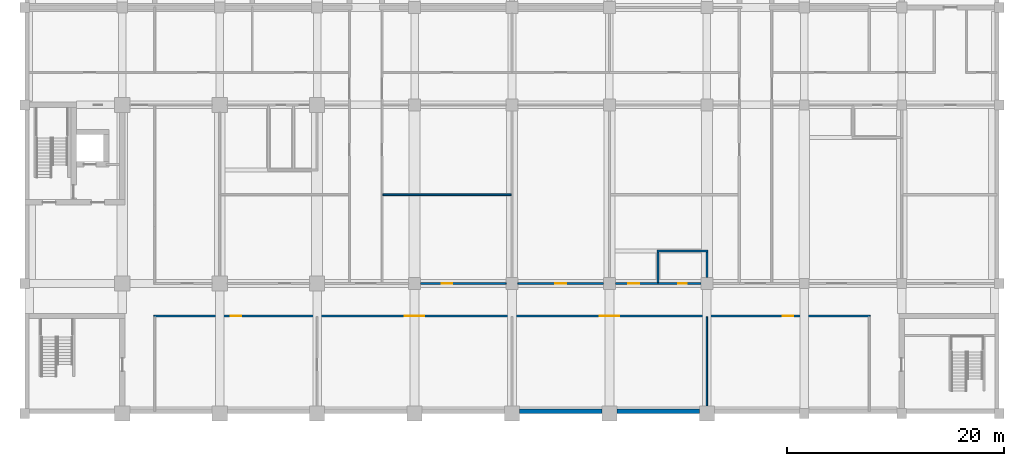
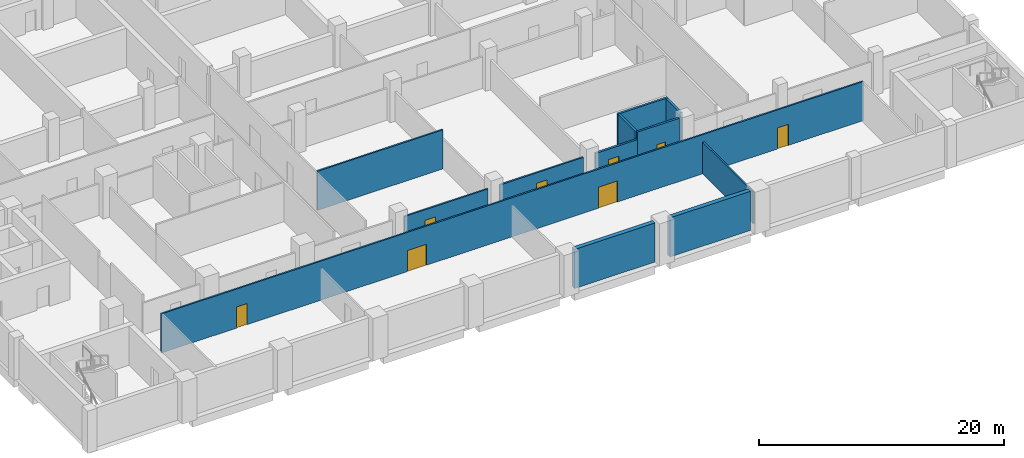
# One storey, part 6 of 16: 12 walls, 8 doors, 8 openings.
"""IFC4 building model written with IfcOpenShell, lengths in metres."""

from ifc_helpers import new_model, si_unit, direction, frame, frame_2d, origin, place, context, subcontext, project, spatial, rectangle, extrude, material, layer, layer_set, type_object, element, fill, save


model = new_model("IFC4")

# Units and contexts
model_context = context("Model", 3, precision=1e-05, world=origin(), true_north=direction((0.0, 1.0)))
body_context = subcontext(model_context, "Body", "Model", "MODEL_VIEW")
ifc_project = project(units=[si_unit("LENGTHUNIT", "METRE"), si_unit("AREAUNIT", "SQUARE_METRE"), si_unit("VOLUMEUNIT", "CUBIC_METRE"), si_unit("PLANEANGLEUNIT", "RADIAN"), si_unit("MASSUNIT", "GRAM", prefix="KILO")], contexts=[model_context])

# Site, building, storey
site_placement = place(None, origin())
site = spatial("IfcSite", under=ifc_project, at=site_placement, CompositionType="ELEMENT")
building_placement = place(site_placement, origin())
building = spatial("IfcBuilding", under=site, at=building_placement, Name="Aurelan Courthouse", CompositionType="ELEMENT")
storey_placement = place(building_placement, frame((0.0, 0.0, -4.199951171875)))
storey = spatial("IfcBuildingStorey", under=building, at=storey_placement, Name="B1", CompositionType="ELEMENT", Elevation=-4.199951171875)

# Wall, openings, doors
ifc_material_1 = material(Name="Gypsum board on metal studs")
ifc_layer_1 = layer(ifc_material_1, 0.14990234375)
ifc_layer_set_1 = layer_set([ifc_layer_1], Name="Gypsum board on metal studs")
wall_type_1 = type_object("IfcWallType", Name="Corridor partition 150 EI 60", PredefinedType="PARTITIONING", material=ifc_layer_set_1)
wall_1_placement = place(storey_placement, frame((11.925048828125, 9.0, 0.0), z_axis=(0.0, 0.0, 1.0), x_axis=(1.0, 0.0, 0.0)))
wall_1 = element("IfcWall", 1, at=wall_1_placement, inside=storey, type_object=wall_type_1, Name="Corridor partition B1-001", PredefinedType="PARTITIONING", context=body_context, shape_type="SweptSolid", body=[
    extrude(rectangle(XDim=66.14990234375, YDim=0.14990234375, at=frame_2d((33.074951171875, 0.0))), origin(), (0.0, 0.0, 1.0), 3.89990234375),
])
opening_1_placement = place(wall_1_placement, frame((8.074951171875, 0.0, 0.0), z_axis=(0.0, 0.0, 1.0), x_axis=(-1.0, 0.0, 0.0)))
opening_1 = element("IfcOpeningElement", 2, at=opening_1_placement, cuts=wall_1, Name="Opening D-B1-043", PredefinedType="OPENING", context=body_context, shape_type="SweptSolid", body=[
    extrude(rectangle(XDim=1.0, YDim=2.10009765625, at=frame_2d((0.5, 1.050048828125))), frame((0.0, 0.0849609375, 0.0), z_axis=(0.0, -1.0, 0.0), x_axis=(1.0, 0.0, 0.0)), (0.0, 0.0, 1.0), 0.169921875),
])
opening_2_placement = place(wall_1_placement, frame((24.97509765625, 0.0, 0.0), z_axis=(0.0, 0.0, 1.0), x_axis=(-1.0, 0.0, 0.0)))
opening_2 = element("IfcOpeningElement", 3, at=opening_2_placement, cuts=wall_1, Name="Opening D-B1-044", PredefinedType="OPENING", context=body_context, shape_type="SweptSolid", body=[
    extrude(rectangle(XDim=1.800048828125, YDim=2.10009765625, at=frame_2d((0.89990234375, 1.050048828125))), frame((0.0, 0.0849609375, 0.0), z_axis=(0.0, -1.0, 0.0), x_axis=(1.0, 0.0, 0.0)), (0.0, 0.0, 1.0), 0.169921875),
])
opening_3_placement = place(wall_1_placement, frame((42.97509765625, 0.0, 0.0), z_axis=(0.0, 0.0, 1.0), x_axis=(-1.0, 0.0, 0.0)))
opening_3 = element("IfcOpeningElement", 4, at=opening_3_placement, cuts=wall_1, Name="Opening D-B1-045", PredefinedType="OPENING", context=body_context, shape_type="SweptSolid", body=[
    extrude(rectangle(XDim=1.800048828125, YDim=2.10009765625, at=frame_2d((0.89990234375, 1.050048828125))), frame((0.0, 0.0849609375, 0.0), z_axis=(0.0, -1.0, 0.0), x_axis=(1.0, 0.0, 0.0)), (0.0, 0.0, 1.0), 0.169921875),
])
opening_4_placement = place(wall_1_placement, frame((59.074951171875, 0.0, 0.0), z_axis=(0.0, 0.0, 1.0), x_axis=(-1.0, 0.0, 0.0)))
opening_4 = element("IfcOpeningElement", 5, at=opening_4_placement, cuts=wall_1, Name="Opening D-B1-046", PredefinedType="OPENING", context=body_context, shape_type="SweptSolid", body=[
    extrude(rectangle(XDim=1.0, YDim=2.10009765625, at=frame_2d((0.5, 1.050048828125))), frame((0.0, 0.0849609375, 0.0), z_axis=(0.0, -1.0, 0.0), x_axis=(1.0, 0.0, 0.0)), (0.0, 0.0, 1.0), 0.169921875),
])
ifc_material_2 = material(Name="Steel", Category="steel")
door_type_1 = type_object("IfcDoorType", Name="Double door 1800 x 2100 FD60", OperationType="DOUBLE_DOOR_SINGLE_SWING", PredefinedType="DOOR", material=ifc_material_2)
door_1_placement = place(opening_2_placement, origin())
door_1 = element("IfcDoor", 6, at=door_1_placement, inside=storey, type_object=door_type_1, Name="Double door D-B1-044", OperationType="DOUBLE_DOOR_SINGLE_SWING", OverallHeight=2.10009765625, OverallWidth=1.800048828125, PredefinedType="DOOR", context=body_context, shape_type="SweptSolid", body=[
    extrude(rectangle(XDim=1.800048828125, YDim=2.10009765625, at=frame_2d((0.89990234375, 1.050048828125))), frame((0.0, 0.02490234375, 0.0), z_axis=(0.0, -1.0, 0.0), x_axis=(1.0, 0.0, 0.0)), (0.0, 0.0, 1.0), 0.050048828125),
])
fill(opening_2, door_1)
door_2_placement = place(opening_3_placement, origin())
door_2 = element("IfcDoor", 7, at=door_2_placement, inside=storey, type_object=door_type_1, Name="Double door D-B1-045", OperationType="DOUBLE_DOOR_SINGLE_SWING", OverallHeight=2.10009765625, OverallWidth=1.800048828125, PredefinedType="DOOR", context=body_context, shape_type="SweptSolid", body=[
    extrude(rectangle(XDim=1.800048828125, YDim=2.10009765625, at=frame_2d((0.89990234375, 1.050048828125))), frame((0.0, 0.02490234375, 0.0), z_axis=(0.0, -1.0, 0.0), x_axis=(1.0, 0.0, 0.0)), (0.0, 0.0, 1.0), 0.050048828125),
])
fill(opening_3, door_2)
door_type_2 = type_object("IfcDoorType", Name="Single door 1000 x 2100 FD60", OperationType="SINGLE_SWING_LEFT", PredefinedType="DOOR", material=ifc_material_2)
door_3_placement = place(opening_1_placement, origin())
door_3 = element("IfcDoor", 8, at=door_3_placement, inside=storey, type_object=door_type_2, Name="Single door D-B1-043", OperationType="SINGLE_SWING_LEFT", OverallHeight=2.10009765625, OverallWidth=1.0, PredefinedType="DOOR", context=body_context, shape_type="SweptSolid", body=[
    extrude(rectangle(XDim=1.0, YDim=2.10009765625, at=frame_2d((0.5, 1.050048828125))), frame((0.0, 0.02490234375, 0.0), z_axis=(0.0, -1.0, 0.0), x_axis=(1.0, 0.0, 0.0)), (0.0, 0.0, 1.0), 0.050048828125),
])
fill(opening_1, door_3)
door_4_placement = place(opening_4_placement, origin())
door_4 = element("IfcDoor", 9, at=door_4_placement, inside=storey, type_object=door_type_2, Name="Single door D-B1-046", OperationType="SINGLE_SWING_RIGHT", OverallHeight=2.10009765625, OverallWidth=1.0, PredefinedType="DOOR", context=body_context, shape_type="SweptSolid", body=[
    extrude(rectangle(XDim=1.0, YDim=2.10009765625, at=frame_2d((0.5, 1.050048828125))), frame((0.0, 0.02490234375, 0.0), z_axis=(0.0, -1.0, 0.0), x_axis=(1.0, 0.0, 0.0)), (0.0, 0.0, 1.0), 0.050048828125),
])
fill(opening_4, door_4)

# Wall, opening, door
wall_2_placement = place(storey_placement, frame((36.550048828125, 12.0, 0.0), z_axis=(0.0, 0.0, 1.0), x_axis=(1.0, 0.0, 0.0)))
wall_2 = element("IfcWall", 10, at=wall_2_placement, inside=storey, type_object=wall_type_1, Name="Corridor partition B1-005", PredefinedType="PARTITIONING", context=body_context, shape_type="SweptSolid", body=[
    extrude(rectangle(XDim=7.89990234375, YDim=0.14990234375, at=frame_2d((3.949951171875, 0.0))), origin(), (0.0, 0.0, 1.0), 3.14990234375),
])
opening_5_placement = place(wall_2_placement, frame((1.949951171875, 0.0, 0.0)))
opening_5 = element("IfcOpeningElement", 11, at=opening_5_placement, cuts=wall_2, Name="Opening D-B1-013", PredefinedType="OPENING", context=body_context, shape_type="SweptSolid", body=[
    extrude(rectangle(XDim=1.0, YDim=2.10009765625, at=frame_2d((0.5, 1.050048828125))), frame((0.0, 0.0849609375, 0.0), z_axis=(0.0, -1.0, 0.0), x_axis=(1.0, 0.0, 0.0)), (0.0, 0.0, 1.0), 0.169921875),
])
door_5_placement = place(opening_5_placement, origin())
door_5 = element("IfcDoor", 12, at=door_5_placement, inside=storey, type_object=door_type_2, Name="Single door D-B1-013", OperationType="SINGLE_SWING_RIGHT", OverallHeight=2.10009765625, OverallWidth=1.0, PredefinedType="DOOR", context=body_context, shape_type="SweptSolid", body=[
    extrude(rectangle(XDim=1.0, YDim=2.10009765625, at=frame_2d((0.5, 1.050048828125))), frame((0.0, 0.02490234375, 0.0), z_axis=(0.0, -1.0, 0.0), x_axis=(1.0, 0.0, 0.0)), (0.0, 0.0, 1.0), 0.050048828125),
])
fill(opening_5, door_5)

wall_3_placement = place(storey_placement, frame((45.550048828125, 12.0, 0.0), z_axis=(0.0, 0.0, 1.0), x_axis=(1.0, 0.0, 0.0)))
wall_3 = element("IfcWall", 13, at=wall_3_placement, inside=storey, type_object=wall_type_1, Name="Corridor partition B1-006", PredefinedType="PARTITIONING", context=body_context, shape_type="SweptSolid", body=[
    extrude(rectangle(XDim=7.89990234375, YDim=0.14990234375, at=frame_2d((3.949951171875, 0.0))), origin(), (0.0, 0.0, 1.0), 3.14990234375),
])
opening_6_placement = place(wall_3_placement, frame((3.449951171875, 0.0, 0.0)))
opening_6 = element("IfcOpeningElement", 14, at=opening_6_placement, cuts=wall_3, Name="Opening D-B1-015", PredefinedType="OPENING", context=body_context, shape_type="SweptSolid", body=[
    extrude(rectangle(XDim=1.0, YDim=2.10009765625, at=frame_2d((0.5, 1.050048828125))), frame((0.0, 0.0849609375, 0.0), z_axis=(0.0, -1.0, 0.0), x_axis=(1.0, 0.0, 0.0)), (0.0, 0.0, 1.0), 0.169921875),
])
door_6_placement = place(opening_6_placement, origin())
door_6 = element("IfcDoor", 15, at=door_6_placement, inside=storey, type_object=door_type_2, Name="Single door D-B1-015", OperationType="SINGLE_SWING_RIGHT", OverallHeight=2.10009765625, OverallWidth=1.0, PredefinedType="DOOR", context=body_context, shape_type="SweptSolid", body=[
    extrude(rectangle(XDim=1.0, YDim=2.10009765625, at=frame_2d((0.5, 1.050048828125))), frame((0.0, 0.02490234375, 0.0), z_axis=(0.0, -1.0, 0.0), x_axis=(1.0, 0.0, 0.0)), (0.0, 0.0, 1.0), 0.050048828125),
])
fill(opening_6, door_6)

# Walls
ifc_layer_2 = layer(ifc_material_1, 0.14990234375)
ifc_layer_set_2 = layer_set([ifc_layer_2], Name="Gypsum board on metal studs")
wall_type_2 = type_object("IfcWallType", Name="Partition 150 NOT RATED", PredefinedType="PARTITIONING", material=ifc_layer_set_2)
wall_4_placement = place(storey_placement, frame((33.074951171875, 20.199951171875, 0.0), z_axis=(0.0, 0.0, 1.0), x_axis=(1.0, 0.0, 0.0)))
element("IfcWall", 16, at=wall_4_placement, inside=storey, type_object=wall_type_2, Name="Partition B1-015", PredefinedType="PARTITIONING", context=body_context, shape_type="SweptSolid", body=[
    extrude(rectangle(XDim=11.85009765625, YDim=0.14990234375, at=frame_2d((5.925048828125, 0.0))), origin(), (0.0, 0.0, 1.0), 3.89990234375),
])
wall_5_placement = place(storey_placement, frame((63.0, 0.699951171875, 0.0), z_axis=(0.0, 0.0, 1.0), x_axis=(0.0, 1.0, 0.0)))
element("IfcWall", 17, at=wall_5_placement, inside=storey, type_object=wall_type_2, Name="Partition B1-135", PredefinedType="PARTITIONING", context=body_context, shape_type="SweptSolid", body=[
    extrude(rectangle(XDim=8.22509765625, YDim=0.14990234375, at=frame_2d((4.112548828125, 0.0))), origin(), (0.0, 0.0, 1.0), 3.14990234375),
])

# Wall, opening, door
ifc_material_3 = material(Name="Masonry block", Category="masonry")
ifc_layer_3 = layer(ifc_material_3, 0.199951171875)
ifc_layer_set_3 = layer_set([ifc_layer_3], Name="Masonry block")
wall_type_3 = type_object("IfcWallType", Name="Plant room wall 200 EI 120", PredefinedType="PARTITIONING", material=ifc_layer_set_3)
wall_6_placement = place(storey_placement, frame((54.550048828125, 12.0, 0.0), z_axis=(0.0, 0.0, 1.0), x_axis=(1.0, 0.0, 0.0)))
wall_6 = element("IfcWall", 18, at=wall_6_placement, inside=storey, type_object=wall_type_3, Name="Plant room wall B1-007", PredefinedType="PARTITIONING", context=body_context, shape_type="SweptSolid", body=[
    extrude(rectangle(XDim=3.949951171875, YDim=0.199951171875, at=frame_2d((1.97509765625, 0.0))), origin(), (0.0, 0.0, 1.0), 3.14990234375),
])
opening_7_placement = place(wall_6_placement, frame((1.199951171875, 0.0, 0.0)))
opening_7 = element("IfcOpeningElement", 19, at=opening_7_placement, cuts=wall_6, Name="Opening D-B1-016", PredefinedType="OPENING", context=body_context, shape_type="SweptSolid", body=[
    extrude(rectangle(XDim=1.0, YDim=2.10009765625, at=frame_2d((0.5, 1.050048828125))), frame((0.0, 0.10986328125, 0.0), z_axis=(0.0, -1.0, 0.0), x_axis=(1.0, 0.0, 0.0)), (0.0, 0.0, 1.0), 0.219970703125),
])
door_type_3 = type_object("IfcDoorType", Name="Single door 1000 x 2100 FD90", OperationType="SINGLE_SWING_LEFT", PredefinedType="DOOR", material=ifc_material_2)
door_7_placement = place(opening_7_placement, origin())
door_7 = element("IfcDoor", 20, at=door_7_placement, inside=storey, type_object=door_type_3, Name="Single door D-B1-016", OperationType="SINGLE_SWING_LEFT", OverallHeight=2.10009765625, OverallWidth=1.0, PredefinedType="DOOR", context=body_context, shape_type="SweptSolid", body=[
    extrude(rectangle(XDim=1.0, YDim=2.10009765625, at=frame_2d((0.5, 1.050048828125))), frame((0.0, 0.02490234375, 0.0), z_axis=(0.0, -1.0, 0.0), x_axis=(1.0, 0.0, 0.0)), (0.0, 0.0, 1.0), 0.050048828125),
])
fill(opening_7, door_7)

# Walls
ifc_material_4 = material(Name="Concrete C50", Category="concrete")
ifc_layer_4 = layer(ifc_material_4, 0.39990234375)
ifc_layer_set_4 = layer_set([ifc_layer_4], Name="Concrete C50")
wall_type_4 = type_object("IfcWallType", Name="RC retaining wall 400", PredefinedType="SOLIDWALL", material=ifc_layer_set_4)
for number, where, z_axis, x_axis, name in (
    (21, (45.699951171875, 0.199951171875, 0.0), (0.0, 0.0, 1.0), (1.0, 0.0, 0.0), "Retaining wall SW-B1-006"),
    (22, (54.699951171875, 0.199951171875, 0.0), (0.0, 0.0, 1.0), (1.0, 0.0, 0.0), "Retaining wall SW-B1-007"),
):
    element("IfcWall", number, at=place(storey_placement, frame(where, z_axis=z_axis, x_axis=x_axis)), inside=storey, type_object=wall_type_4, Name=name, PredefinedType="SOLIDWALL", context=body_context, shape_type="SweptSolid", body=[
        extrude(rectangle(XDim=7.60009765625, YDim=0.39990234375, at=frame_2d((3.800048828125, 0.0))), origin(), (0.0, 0.0, 1.0), 3.89990234375),
    ])

# Wall, opening, door
ifc_material_5 = material(Name="Concrete C30", Category="concrete")
ifc_layer_5 = layer(ifc_material_5, 0.199951171875)
ifc_layer_set_5 = layer_set([ifc_layer_5], Name="Concrete C30")
wall_type_5 = type_object("IfcWallType", Name="Shaft wall 200 EI 120 load-bearing", PredefinedType="SHEAR", material=ifc_layer_set_5)
wall_7_placement = place(storey_placement, frame((58.5, 12.0, 0.0), z_axis=(0.0, 0.0, 1.0), x_axis=(1.0, 0.0, 0.0)))
wall_7 = element("IfcWall", 23, at=wall_7_placement, inside=storey, type_object=wall_type_5, Name="Shaft wall B1-008", PredefinedType="SHEAR", context=body_context, shape_type="SweptSolid", body=[
    extrude(rectangle(XDim=3.949951171875, YDim=0.199951171875, at=frame_2d((1.97509765625, 0.0))), origin(), (0.0, 0.0, 1.0), 3.89990234375),
])
opening_8_placement = place(wall_7_placement, frame((1.85009765625, 0.0, 0.0)))
opening_8 = element("IfcOpeningElement", 24, at=opening_8_placement, cuts=wall_7, Name="Opening D-B1-057", PredefinedType="OPENING", context=body_context, shape_type="SweptSolid", body=[
    extrude(rectangle(XDim=0.800048828125, YDim=2.0, at=frame_2d((0.39990234375, 1.0))), frame((0.0, 0.10986328125, 0.0), z_axis=(0.0, -1.0, 0.0), x_axis=(1.0, 0.0, 0.0)), (0.0, 0.0, 1.0), 0.219970703125),
])
door_type_4 = type_object("IfcDoorType", Name="Single door 800 x 2000 FD90", OperationType="SINGLE_SWING_LEFT", PredefinedType="DOOR", material=ifc_material_2)
door_8_placement = place(opening_8_placement, origin())
door_8 = element("IfcDoor", 25, at=door_8_placement, inside=storey, type_object=door_type_4, Name="Single door D-B1-057", OperationType="SINGLE_SWING_RIGHT", OverallHeight=2.0, OverallWidth=0.800048828125, PredefinedType="DOOR", context=body_context, shape_type="SweptSolid", body=[
    extrude(rectangle(XDim=0.800048828125, YDim=2.0, at=frame_2d((0.39990234375, 1.0))), frame((0.0, 0.02490234375, 0.0), z_axis=(0.0, -1.0, 0.0), x_axis=(1.0, 0.0, 0.0)), (0.0, 0.0, 1.0), 0.050048828125),
])
fill(opening_8, door_8)

# Walls
wall_8_placement = place(storey_placement, frame((58.39990234375, 15.0, 0.0), z_axis=(0.0, 0.0, 1.0), x_axis=(1.0, 0.0, 0.0)))
element("IfcWall", 26, at=wall_8_placement, inside=storey, type_object=wall_type_5, Name="Shaft wall B1-013", PredefinedType="SHEAR", context=body_context, shape_type="SweptSolid", body=[
    extrude(rectangle(XDim=4.7001953125, YDim=0.199951171875, at=frame_2d((2.35009765625, 0.0))), origin(), (0.0, 0.0, 1.0), 3.89990234375),
])
wall_9_placement = place(storey_placement, frame((58.5, 12.10009765625, 0.0), z_axis=(0.0, 0.0, 1.0), x_axis=(0.0, 1.0, 0.0)))
element("IfcWall", 27, at=wall_9_placement, inside=storey, type_object=wall_type_5, Name="Shaft wall B1-130", PredefinedType="SHEAR", context=body_context, shape_type="SweptSolid", body=[
    extrude(rectangle(XDim=2.7998046875, YDim=0.199951171875, at=frame_2d((1.39990234375, 0.0))), origin(), (0.0, 0.0, 1.0), 3.89990234375),
])
wall_10_placement = place(storey_placement, frame((63.0, 12.550048828125, 0.0), z_axis=(0.0, 0.0, 1.0), x_axis=(0.0, 1.0, 0.0)))
element("IfcWall", 28, at=wall_10_placement, inside=storey, type_object=wall_type_5, Name="Shaft wall B1-136", PredefinedType="SHEAR", context=body_context, shape_type="SweptSolid", body=[
    extrude(rectangle(XDim=2.349853515625, YDim=0.199951171875, at=frame_2d((1.1748046875, 0.0))), origin(), (0.0, 0.0, 1.0), 3.89990234375),
])

save(model, "model.ifc")
